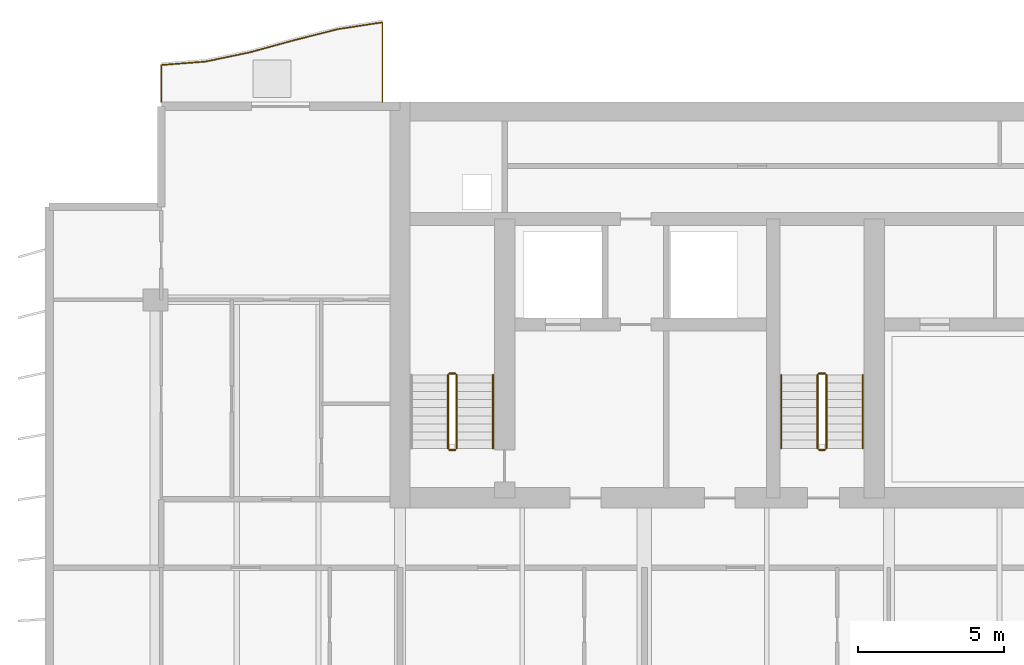
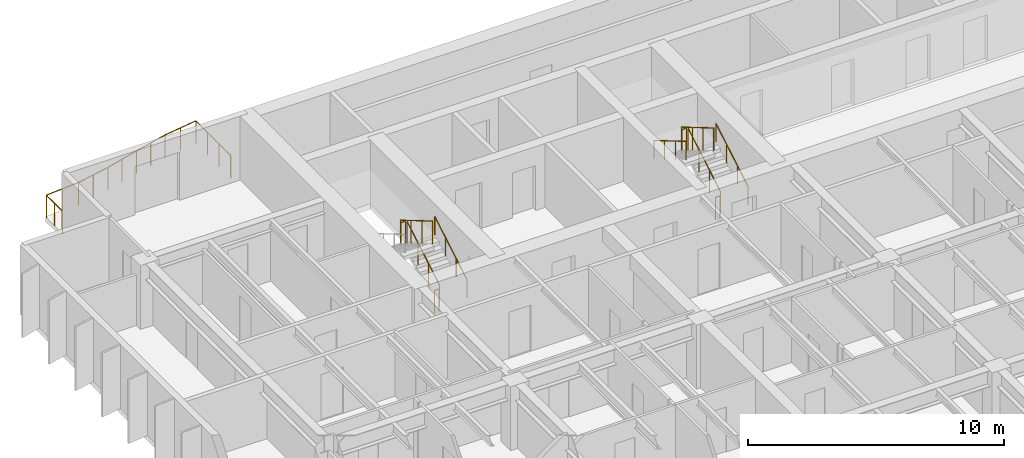
# One storey, part 16 of 18: 12 railings.
"""IFC4 building model written with IfcOpenShell, lengths in metres."""

import ifcopenshell
import ifcopenshell.guid

model = None  # the IFC model being written
_history = None  # IfcOwnerHistory: only IFC2X3 demands one
_inside = {}  # id of a spatial element -> (the spatial element, [elements in it])
_under = {}  # id of a project, library or spatial element -> (it, [spatial elements below it])
_declared = {}  # id of a project -> (the project, [libraries it declares])
_typed = {}  # id of a type object -> (the type object, [elements of that type])
_made_of = {}  # id of a material, layer set ... -> (it, [elements and type objects made of it])


def new_model(schema):
    """Start an empty IFC model of exactly this schema.

    Asked for "IFC4X3", IfcOpenShell would pick the latest addendum, in which some entities
    have other attributes; the version numbers below select the first issue.
    IFC2X3 requires an IfcOwnerHistory on every rooted entity: one is made here for all.
    """
    global model, _history
    if schema == "IFC4X3":
        model = ifcopenshell.file(schema_version=(4, 3, 0, 0))
    else:
        model = ifcopenshell.file(schema=schema)
    _inside.clear()
    _under.clear()
    _declared.clear()
    _typed.clear()
    _made_of.clear()
    _history = None
    if model.schema == "IFC2X3":
        org = make("IfcOrganization", Name="unknown")
        user = make(
            "IfcPersonAndOrganization",
            ThePerson=make("IfcPerson", FamilyName="unknown"),
            TheOrganization=org,
        )
        app = make(
            "IfcApplication",
            ApplicationDeveloper=org,
            Version="unknown",
            ApplicationFullName="unknown",
            ApplicationIdentifier="unknown",
        )
        _history = make(
            "IfcOwnerHistory",
            OwningUser=user,
            OwningApplication=app,
            ChangeAction="ADDED",
            CreationDate=0,
        )
    return model


def make(cls, **values):
    """One entity of the class cls with the attributes given. An attribute that is None is left unset."""
    return model.create_entity(
        cls, **{name: value for name, value in values.items() if value is not None}
    )


def rooted(cls, **values):
    """An entity with a GlobalId (a new one), such as an element, a storey or a relation."""
    return make(cls, GlobalId=ifcopenshell.guid.new(), OwnerHistory=_history, **values)


def si_unit(unit_type, name, prefix=None):
    """IfcSIUnit, for example si_unit("LENGTHUNIT", "METRE", prefix="MILLI")."""
    return make("IfcSIUnit", UnitType=unit_type, Prefix=prefix, Name=name)


def assignment(units):
    """IfcUnitAssignment: the units of a project."""
    return None if units is None else make("IfcUnitAssignment", Units=units)


def point(xyz):
    """IfcCartesianPoint."""
    return None if xyz is None else make("IfcCartesianPoint", Coordinates=xyz)


def direction(xyz):
    """IfcDirection."""
    return None if xyz is None else make("IfcDirection", DirectionRatios=xyz)


def frame(location, z_axis=None, x_axis=None):
    """IfcAxis2Placement3D, a coordinate frame: its origin and axes. An axis left out is left unset."""
    return make(
        "IfcAxis2Placement3D",
        Location=point(location),
        Axis=direction(z_axis),
        RefDirection=direction(x_axis),
    )


def frame_2d(location, x_axis=None):
    """IfcAxis2Placement2D, a coordinate frame in the plane: its origin and x axis."""
    return make(
        "IfcAxis2Placement2D", Location=point(location), RefDirection=direction(x_axis)
    )


def origin():
    """The frame at (0, 0, 0) with its axes left unset."""
    return frame((0.0, 0.0, 0.0))


def origin_2d():
    """The frame at (0, 0) in the plane with its x axis left unset."""
    return frame_2d((0.0, 0.0))


def place(relative_to, where):
    """IfcLocalPlacement: puts the frame where relative to a parent placement (None: the world)."""
    return make(
        "IfcLocalPlacement", PlacementRelTo=relative_to, RelativePlacement=where
    )


def context(
    kind, dimensions, precision=None, world=None, true_north=None, identifier=None
):
    """IfcGeometricRepresentationContext, for example the 3D "Model" context."""
    return make(
        "IfcGeometricRepresentationContext",
        ContextIdentifier=identifier,
        ContextType=kind,
        CoordinateSpaceDimension=dimensions,
        Precision=precision,
        WorldCoordinateSystem=world,
        TrueNorth=true_north,
    )


def subcontext(parent, identifier, kind, view, scale=None):
    """IfcGeometricRepresentationSubContext, for example "Body" below "Model"."""
    return make(
        "IfcGeometricRepresentationSubContext",
        ContextIdentifier=identifier,
        ContextType=kind,
        ParentContext=parent,
        TargetScale=scale,
        TargetView=view,
    )


def project(units=None, contexts=None):
    """IfcProject with its units and contexts."""
    return rooted(
        "IfcProject",
        Name="project",
        RepresentationContexts=contexts,
        UnitsInContext=assignment(units),
    )


def spatial(cls, under=None, at=None, **own):
    """A site, building, storey or space (cls), placed at a placement, below another one or the project."""
    s = rooted(cls, ObjectPlacement=at, **own)
    if under is not None:
        _under.setdefault(under.id(), (under, []))[1].append(s)
    return s


def profile(cls, at=None, kind="AREA", **sizes):
    """A parametric profile (cls). Its sizes go by their IFC names, for example OverallWidth=200.0."""
    return make(cls, ProfileType=kind, Position=at, **sizes)


def circle(**sizes):
    """IfcCircleProfileDef."""
    return profile("IfcCircleProfileDef", **sizes)


def extrude(swept, where, along, depth):
    """IfcExtrudedAreaSolid: the profile swept, set in the frame where, extruded along a direction by depth."""
    return make(
        "IfcExtrudedAreaSolid",
        SweptArea=swept,
        Position=where,
        ExtrudedDirection=direction(along),
        Depth=depth,
    )


def shape(context_of_items, identifier, shape_type, items):
    """IfcShapeRepresentation: the items that make up one representation, for example the "Body"."""
    return make(
        "IfcShapeRepresentation",
        ContextOfItems=context_of_items,
        RepresentationIdentifier=identifier,
        RepresentationType=shape_type,
        Items=items,
    )


def material(Name=None, Category=None):
    """IfcMaterial."""
    return make("IfcMaterial", Name=Name, Category=Category)


def made_of(thing, what):
    """Note that an element or type object is made of a material, layer set ...; save() writes the relation."""
    if what is not None:
        _made_of.setdefault(what.id(), (what, []))[1].append(thing)
    return thing


def type_object(cls, material=None, **own):
    """A type object (cls), such as IfcWallType, which elements share."""
    return made_of(rooted(cls, **own), material)


def element(
    cls,
    number,
    at=None,
    inside=None,
    cuts=None,
    type_object=None,
    material=None,
    context=None,
    identifier="Body",
    shape_type=None,
    held_by="IfcProductDefinitionShape",
    body=None,
    shapes=None,
    **own,
):
    """One element of the class cls, such as IfcWall. Its Tag is "e" and its number.

    at: its placement. inside: the storey or other place that contains it. cuts: it is an
    opening in that element (IfcRelVoidsElement). A single representation is given by context,
    identifier, shape_type and body (its items); several are given by shapes. held_by: the class
    of the entity that holds the representations. save() writes the other relations.
    """
    e = rooted(cls, Tag="e%d" % number, ObjectPlacement=at, **own)
    if body is not None:
        shapes = [shape(context, identifier, shape_type, body)]
    if shapes is not None:
        e.Representation = make(held_by, Representations=shapes)
    if inside is not None:
        _inside.setdefault(inside.id(), (inside, []))[1].append(e)
    if cuts is not None:
        rooted(
            "IfcRelVoidsElement", RelatingBuildingElement=cuts, RelatedOpeningElement=e
        )
    if type_object is not None:
        _typed.setdefault(type_object.id(), (type_object, []))[1].append(e)
    return made_of(e, material)


def aggregate(whole, parts):
    """IfcRelAggregates: a whole, such as a stair, and the parts it consists of."""
    return rooted("IfcRelAggregates", RelatingObject=whole, RelatedObjects=parts)


def save(model, path):
    """Write the relations noted so far, then the file.

    IfcRelAggregates (storeys below a building ...), IfcRelContainedInSpatialStructure (elements
    in a storey), IfcRelDefinesByType, IfcRelAssociatesMaterial and IfcRelDeclares: one each for
    every whole, place, type object, material and project.
    """
    for whole, parts in _under.values():
        aggregate(whole, parts)
    for where, things in _inside.values():
        rooted(
            "IfcRelContainedInSpatialStructure",
            RelatedElements=things,
            RelatingStructure=where,
        )
    for kind, things in _typed.values():
        rooted("IfcRelDefinesByType", RelatedObjects=things, RelatingType=kind)
    for what, things in _made_of.values():
        rooted("IfcRelAssociatesMaterial", RelatedObjects=things, RelatingMaterial=what)
    for by, libraries in _declared.values():
        rooted("IfcRelDeclares", RelatingContext=by, RelatedDefinitions=libraries)
    model.write(path)


model = new_model("IFC4")

# Units and contexts
model_context = context("Model", 3, precision=1e-05, world=origin(), true_north=direction((0.0, 1.0)))
body_context = subcontext(model_context, "Body", "Model", "MODEL_VIEW")
ifc_project = project(units=[si_unit("LENGTHUNIT", "METRE"), si_unit("AREAUNIT", "SQUARE_METRE"), si_unit("VOLUMEUNIT", "CUBIC_METRE"), si_unit("PLANEANGLEUNIT", "RADIAN"), si_unit("MASSUNIT", "GRAM", prefix="KILO")], contexts=[model_context])

# Site, building, storey
site_placement = place(None, origin())
site = spatial("IfcSite", under=ifc_project, at=site_placement, CompositionType="ELEMENT")
building_placement = place(site_placement, origin())
building = spatial("IfcBuilding", under=site, at=building_placement, Name="Caelmar Bay Residences", CompositionType="ELEMENT")
storey_placement = place(building_placement, frame((0.0, 0.0, 173.699951171875)))
storey = spatial("IfcBuildingStorey", under=building, at=storey_placement, Name="L48", CompositionType="ELEMENT", Elevation=173.699951171875)

# Railings
ifc_material_1 = material(Name="Anodised bronze handrail with laminated hurricane glass infill", Category="glass")
railing_type_1 = type_object("IfcRailingType", Name="RL-BAL-1100", PredefinedType="BALUSTRADE", material=ifc_material_1)
railing_1_placement = place(storey_placement, frame((17.699951171875, 50.60009765625, 0.0)))
element("IfcRailing", 1, at=railing_1_placement, inside=storey, type_object=railing_type_1, Name="L48 north_west Balcony Balustrade", PredefinedType="BALUSTRADE", context=body_context, shape_type="SweptSolid", body=[
    extrude(circle(Radius=0.02392578125, at=origin_2d()), frame((0.0, 0.0, 1.076171875), z_axis=(0.0, 1.0, 0.0), x_axis=(-1.0, 0.0, 0.0)), (0.0, 0.0, 1.0), 2.736572265625),
    extrude(circle(Radius=0.02392578125, at=origin_2d()), frame((0.0, 2.736572265625, 1.076171875), z_axis=(-0.988581843738, -0.150684897158, 0.0), x_axis=(0.150684897158, -0.988581843738, 0.0)), (0.0, 0.0, 1.0), 1.53759765625),
    extrude(circle(Radius=0.02392578125, at=origin_2d()), frame((-1.52001953125, 2.5048828125, 1.076171875), z_axis=(-0.969497919705, -0.245099538326, 0.0), x_axis=(0.245099538326, -0.969497919705, 0.0)), (0.0, 0.0, 1.0), 1.56787109375),
    extrude(circle(Radius=0.02392578125, at=origin_2d()), frame((-3.0400390625, 2.12060546875, 1.076171875), z_axis=(-0.964527479323, -0.263982464627, 0.0), x_axis=(0.263982464627, -0.964527479323, 0.0)), (0.0, 0.0, 1.0), 1.575927734375),
    extrude(circle(Radius=0.02392578125, at=origin_2d()), frame((-4.56005859375, 1.70458984375, 1.076171875), z_axis=(-0.978976494466, -0.20397309451, 0.0), x_axis=(0.20397309451, -0.978976494466, 0.0)), (0.0, 0.0, 1.0), 1.552490234375),
    extrude(circle(Radius=0.02392578125, at=origin_2d()), frame((-6.079833984375, 1.387939453125, 1.076171875), z_axis=(-0.997004349632, -0.077345502871, 0.0), x_axis=(0.077345502871, -0.997004349632, 0.0)), (0.0, 0.0, 1.0), 1.524658203125),
    extrude(circle(Radius=0.02392578125, at=origin_2d()), frame((-7.599853515625, 1.27001953125, 1.076171875), z_axis=(0.0, -1.0, 0.0), x_axis=(1.0, 0.0, 0.0)), (0.0, 0.0, 1.0), 1.27001953125),
    extrude(circle(Radius=0.02099609375, at=origin_2d()), origin(), (0.0, 0.0, 1.0), 1.052001953125),
    extrude(circle(Radius=0.02099609375, at=origin_2d()), frame((0.0, 0.912109375, 0.0)), (0.0, 0.0, 1.0), 1.052001953125),
    extrude(circle(Radius=0.02099609375, at=origin_2d()), frame((0.0, 1.824462890625, 0.0)), (0.0, 0.0, 1.0), 1.052001953125),
    extrude(circle(Radius=0.02099609375, at=origin_2d()), frame((0.0, 2.736572265625, 0.0)), (0.0, 0.0, 1.0), 1.052001953125),
    extrude(circle(Radius=0.02099609375, at=origin_2d()), frame((-0.760009765625, 2.62060546875, 0.0)), (0.0, 0.0, 1.0), 1.052001953125),
    extrude(circle(Radius=0.02099609375, at=origin_2d()), frame((-1.52001953125, 2.5048828125, 0.0)), (0.0, 0.0, 1.0), 1.052001953125),
    extrude(circle(Radius=0.02099609375, at=origin_2d()), frame((-2.280029296875, 2.312744140625, 0.0)), (0.0, 0.0, 1.0), 1.052001953125),
    extrude(circle(Radius=0.02099609375, at=origin_2d()), frame((-3.0400390625, 2.12060546875, 0.0)), (0.0, 0.0, 1.0), 1.052001953125),
    extrude(circle(Radius=0.02099609375, at=origin_2d()), frame((-3.800048828125, 1.91259765625, 0.0)), (0.0, 0.0, 1.0), 1.052001953125),
    extrude(circle(Radius=0.02099609375, at=origin_2d()), frame((-4.56005859375, 1.70458984375, 0.0)), (0.0, 0.0, 1.0), 1.052001953125),
    extrude(circle(Radius=0.02099609375, at=origin_2d()), frame((-5.31982421875, 1.54638671875, 0.0)), (0.0, 0.0, 1.0), 1.052001953125),
    extrude(circle(Radius=0.02099609375, at=origin_2d()), frame((-6.079833984375, 1.387939453125, 0.0)), (0.0, 0.0, 1.0), 1.052001953125),
    extrude(circle(Radius=0.02099609375, at=origin_2d()), frame((-6.83984375, 1.3291015625, 0.0)), (0.0, 0.0, 1.0), 1.052001953125),
    extrude(circle(Radius=0.02099609375, at=origin_2d()), frame((-7.599853515625, 1.27001953125, 0.0)), (0.0, 0.0, 1.0), 1.052001953125),
    extrude(circle(Radius=0.02099609375, at=origin_2d()), frame((-7.599853515625, 0.635009765625, 0.0)), (0.0, 0.0, 1.0), 1.052001953125),
    extrude(circle(Radius=0.02099609375, at=origin_2d()), frame((-7.599853515625, 0.0, 0.0)), (0.0, 0.0, 1.0), 1.052001953125),
])
ifc_material_2 = material(Name="Painted galvanized steel stair guard 1100 mm", Category="steel")
railing_type_2 = type_object("IfcRailingType", Name="RL-GRD-1100", PredefinedType="GUARDRAIL", material=ifc_material_2)
railing_2_placement = place(storey_placement, frame((20.25, 38.699951171875, 0.1650390625)))
element("IfcRailing", 2, at=railing_2_placement, inside=storey, type_object=railing_type_2, Name="L48 ST1 stair guard 1", PredefinedType="GUARDRAIL", context=body_context, shape_type="SweptSolid", body=[
    extrude(circle(Radius=0.02392578125, at=origin_2d()), frame((0.0, 0.0, 1.076171875), z_axis=(0.0, 0.86152411907, 0.507716645641), x_axis=(-1.0, 0.0, 0.0)), (0.0, 0.0, 1.0), 2.925048828125),
    extrude(circle(Radius=0.02099609375, at=origin_2d()), origin(), (0.0, 0.0, 1.0), 1.052001953125),
    extrude(circle(Radius=0.02099609375, at=origin_2d()), frame((0.0, 0.840087890625, 0.4951171875)), (0.0, 0.0, 1.0), 1.052001953125),
    extrude(circle(Radius=0.02099609375, at=origin_2d()), frame((0.0, 1.679931640625, 0.989990234375)), (0.0, 0.0, 1.0), 1.052001953125),
    extrude(circle(Radius=0.02099609375, at=origin_2d()), frame((0.0, 2.52001953125, 1.485107421875)), (0.0, 0.0, 1.0), 1.052001953125),
])
railing_3_placement = place(storey_placement, frame((20.199951171875, 41.27001953125, 1.650146484375)))
element("IfcRailing", 3, at=railing_3_placement, inside=storey, type_object=railing_type_2, Name="L48 ST1 stair guard 2", PredefinedType="GUARDRAIL", context=body_context, shape_type="SweptSolid", body=[
    extrude(circle(Radius=0.02392578125, at=origin_2d()), frame((0.0, 0.0, 1.076171875), z_axis=(-1.0, 0.0, 0.0), x_axis=(0.0, -1.0, 0.0)), (0.0, 0.0, 1.0), 0.199951171875),
    extrude(circle(Radius=0.02099609375, at=origin_2d()), origin(), (0.0, 0.0, 1.0), 1.052001953125),
    extrude(circle(Radius=0.02099609375, at=origin_2d()), frame((-0.199951171875, 0.0, 0.0)), (0.0, 0.0, 1.0), 1.052001953125),
])
railing_4_placement = place(storey_placement, frame((19.949951171875, 41.219970703125, 1.81494140625)))
element("IfcRailing", 4, at=railing_4_placement, inside=storey, type_object=railing_type_2, Name="L48 ST1 stair guard 3", PredefinedType="GUARDRAIL", context=body_context, shape_type="SweptSolid", body=[
    extrude(circle(Radius=0.02392578125, at=origin_2d()), frame((0.0, 0.0, 1.076171875), z_axis=(0.0, -0.86152411907, 0.507716645641), x_axis=(1.0, 0.0, 0.0)), (0.0, 0.0, 1.0), 2.925048828125),
    extrude(circle(Radius=0.02099609375, at=origin_2d()), origin(), (0.0, 0.0, 1.0), 1.052001953125),
    extrude(circle(Radius=0.02099609375, at=origin_2d()), frame((0.0, -0.840087890625, 0.4951171875)), (0.0, 0.0, 1.0), 1.052001953125),
    extrude(circle(Radius=0.02099609375, at=origin_2d()), frame((0.0, -1.679931640625, 0.989990234375)), (0.0, 0.0, 1.0), 1.052001953125),
    extrude(circle(Radius=0.02099609375, at=origin_2d()), frame((0.0, -2.52001953125, 1.485107421875)), (0.0, 0.0, 1.0), 1.052001953125),
])
railing_5_placement = place(storey_placement, frame((20.199951171875, 38.64990234375, 0.0)))
element("IfcRailing", 5, at=railing_5_placement, inside=storey, type_object=railing_type_2, Name="L48 ST1 stair guard 4", PredefinedType="GUARDRAIL", context=body_context, shape_type="SweptSolid", body=[
    extrude(circle(Radius=0.02392578125, at=origin_2d()), frame((0.0, 0.0, 1.076171875), z_axis=(-1.0, 0.0, 0.0), x_axis=(0.0, -1.0, 0.0)), (0.0, 0.0, 1.0), 0.199951171875),
    extrude(circle(Radius=0.02099609375, at=origin_2d()), origin(), (0.0, 0.0, 1.0), 1.052001953125),
    extrude(circle(Radius=0.02099609375, at=origin_2d()), frame((-0.199951171875, 0.0, 0.0)), (0.0, 0.0, 1.0), 1.052001953125),
])
railing_6_placement = place(storey_placement, frame((32.949951171875, 38.699951171875, 0.1650390625)))
element("IfcRailing", 6, at=railing_6_placement, inside=storey, type_object=railing_type_2, Name="L48 ST3 stair guard 1", PredefinedType="GUARDRAIL", context=body_context, shape_type="SweptSolid", body=[
    extrude(circle(Radius=0.02392578125, at=origin_2d()), frame((0.0, 0.0, 1.076171875), z_axis=(0.0, 0.86152411907, 0.507716645641), x_axis=(-1.0, 0.0, 0.0)), (0.0, 0.0, 1.0), 2.925048828125),
    extrude(circle(Radius=0.02099609375, at=origin_2d()), origin(), (0.0, 0.0, 1.0), 1.052001953125),
    extrude(circle(Radius=0.02099609375, at=origin_2d()), frame((0.0, 0.840087890625, 0.4951171875)), (0.0, 0.0, 1.0), 1.052001953125),
    extrude(circle(Radius=0.02099609375, at=origin_2d()), frame((0.0, 1.679931640625, 0.989990234375)), (0.0, 0.0, 1.0), 1.052001953125),
    extrude(circle(Radius=0.02099609375, at=origin_2d()), frame((0.0, 2.52001953125, 1.485107421875)), (0.0, 0.0, 1.0), 1.052001953125),
])
railing_7_placement = place(storey_placement, frame((32.89990234375, 41.27001953125, 1.650146484375)))
element("IfcRailing", 7, at=railing_7_placement, inside=storey, type_object=railing_type_2, Name="L48 ST3 stair guard 2", PredefinedType="GUARDRAIL", context=body_context, shape_type="SweptSolid", body=[
    extrude(circle(Radius=0.02392578125, at=origin_2d()), frame((0.0, 0.0, 1.076171875), z_axis=(-1.0, 0.0, 0.0), x_axis=(0.0, -1.0, 0.0)), (0.0, 0.0, 1.0), 0.199951171875),
    extrude(circle(Radius=0.02099609375, at=origin_2d()), origin(), (0.0, 0.0, 1.0), 1.052001953125),
    extrude(circle(Radius=0.02099609375, at=origin_2d()), frame((-0.199951171875, 0.0, 0.0)), (0.0, 0.0, 1.0), 1.052001953125),
])
railing_8_placement = place(storey_placement, frame((32.64990234375, 41.219970703125, 1.81494140625)))
element("IfcRailing", 8, at=railing_8_placement, inside=storey, type_object=railing_type_2, Name="L48 ST3 stair guard 3", PredefinedType="GUARDRAIL", context=body_context, shape_type="SweptSolid", body=[
    extrude(circle(Radius=0.02392578125, at=origin_2d()), frame((0.0, 0.0, 1.076171875), z_axis=(0.0, -0.86152411907, 0.507716645641), x_axis=(1.0, 0.0, 0.0)), (0.0, 0.0, 1.0), 2.925048828125),
    extrude(circle(Radius=0.02099609375, at=origin_2d()), origin(), (0.0, 0.0, 1.0), 1.052001953125),
    extrude(circle(Radius=0.02099609375, at=origin_2d()), frame((0.0, -0.840087890625, 0.4951171875)), (0.0, 0.0, 1.0), 1.052001953125),
    extrude(circle(Radius=0.02099609375, at=origin_2d()), frame((0.0, -1.679931640625, 0.989990234375)), (0.0, 0.0, 1.0), 1.052001953125),
    extrude(circle(Radius=0.02099609375, at=origin_2d()), frame((0.0, -2.52001953125, 1.485107421875)), (0.0, 0.0, 1.0), 1.052001953125),
])
railing_9_placement = place(storey_placement, frame((32.89990234375, 38.64990234375, 0.0)))
element("IfcRailing", 9, at=railing_9_placement, inside=storey, type_object=railing_type_2, Name="L48 ST3 stair guard 4", PredefinedType="GUARDRAIL", context=body_context, shape_type="SweptSolid", body=[
    extrude(circle(Radius=0.02392578125, at=origin_2d()), frame((0.0, 0.0, 1.076171875), z_axis=(-1.0, 0.0, 0.0), x_axis=(0.0, -1.0, 0.0)), (0.0, 0.0, 1.0), 0.199951171875),
    extrude(circle(Radius=0.02099609375, at=origin_2d()), origin(), (0.0, 0.0, 1.0), 1.052001953125),
    extrude(circle(Radius=0.02099609375, at=origin_2d()), frame((-0.199951171875, 0.0, 0.0)), (0.0, 0.0, 1.0), 1.052001953125),
])
ifc_material_3 = material(Name="Brushed bronze stainless-steel tubular handrail 900 mm", Category="steel")
railing_type_3 = type_object("IfcRailingType", Name="RL-HND-900", PredefinedType="HANDRAIL", material=ifc_material_3)
for number, where, name in (
    (10, (21.5, 38.699951171875, 0.1650390625), "L48 ST1 stair handrail 1"),
    (11, (34.199951171875, 38.699951171875, 0.1650390625), "L48 ST3 stair handrail 1"),
):
    element("IfcRailing", number, at=place(storey_placement, frame(where)), inside=storey, type_object=railing_type_3, Name=name, PredefinedType="HANDRAIL", context=body_context, shape_type="SweptSolid", body=[
        extrude(circle(Radius=0.02392578125, at=origin_2d()), frame((0.0, 0.0, 0.8759765625), z_axis=(0.0, 0.86152411907, 0.507716645641), x_axis=(-1.0, 0.0, 0.0)), (0.0, 0.0, 1.0), 2.925048828125),
        extrude(circle(Radius=0.02099609375, at=origin_2d()), origin(), (0.0, 0.0, 1.0), 0.851806640625),
        extrude(circle(Radius=0.02099609375, at=origin_2d()), frame((0.0, 0.840087890625, 0.4951171875)), (0.0, 0.0, 1.0), 0.851806640625),
        extrude(circle(Radius=0.02099609375, at=origin_2d()), frame((0.0, 1.679931640625, 0.989990234375)), (0.0, 0.0, 1.0), 0.851806640625),
        extrude(circle(Radius=0.02099609375, at=origin_2d()), frame((0.0, 2.52001953125, 1.485107421875)), (0.0, 0.0, 1.0), 0.851806640625),
    ])
railing_10_placement = place(storey_placement, frame((31.39990234375, 41.219970703125, 1.81494140625)))
element("IfcRailing", 12, at=railing_10_placement, inside=storey, type_object=railing_type_3, Name="L48 ST3 stair handrail 2", PredefinedType="HANDRAIL", context=body_context, shape_type="SweptSolid", body=[
    extrude(circle(Radius=0.02392578125, at=origin_2d()), frame((0.0, 0.0, 0.8759765625), z_axis=(0.0, -0.86152411907, 0.507716645641), x_axis=(1.0, 0.0, 0.0)), (0.0, 0.0, 1.0), 2.925048828125),
    extrude(circle(Radius=0.02099609375, at=origin_2d()), origin(), (0.0, 0.0, 1.0), 0.851806640625),
    extrude(circle(Radius=0.02099609375, at=origin_2d()), frame((0.0, -0.840087890625, 0.4951171875)), (0.0, 0.0, 1.0), 0.851806640625),
    extrude(circle(Radius=0.02099609375, at=origin_2d()), frame((0.0, -1.679931640625, 0.989990234375)), (0.0, 0.0, 1.0), 0.851806640625),
    extrude(circle(Radius=0.02099609375, at=origin_2d()), frame((0.0, -2.52001953125, 1.485107421875)), (0.0, 0.0, 1.0), 0.851806640625),
])

save(model, "model.ifc")
